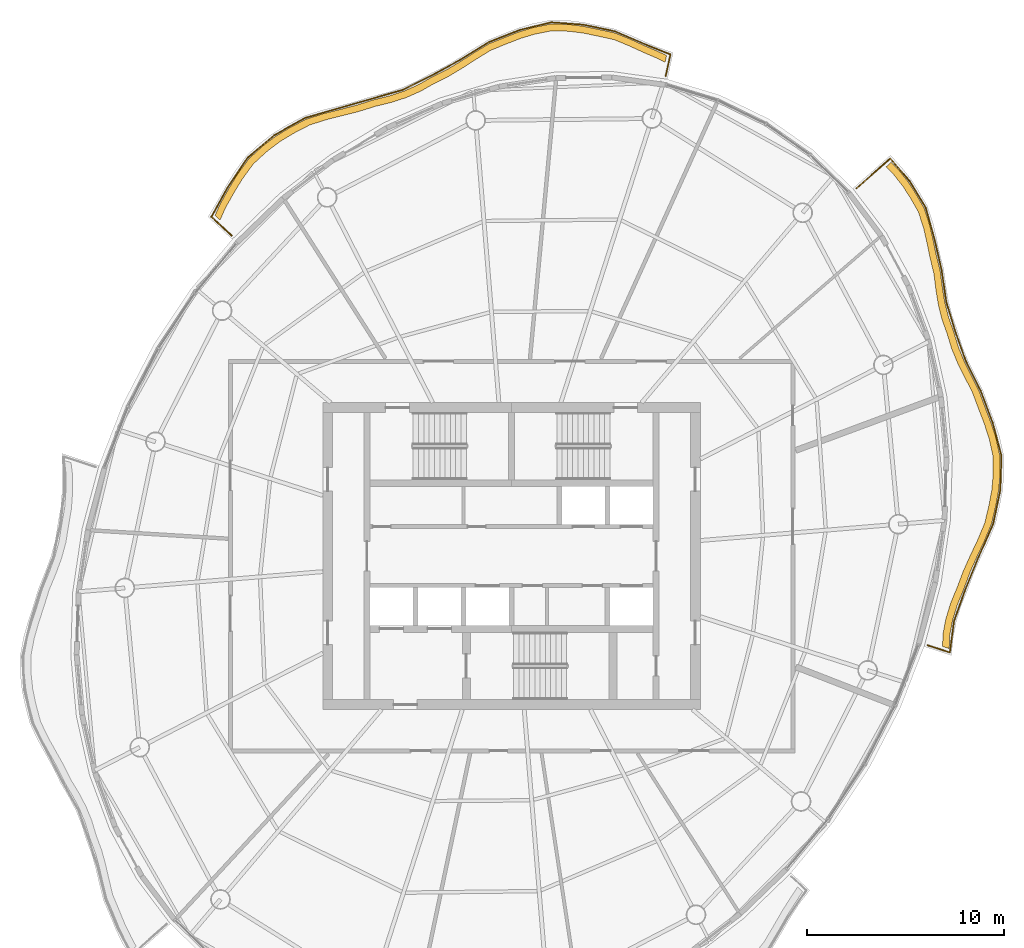
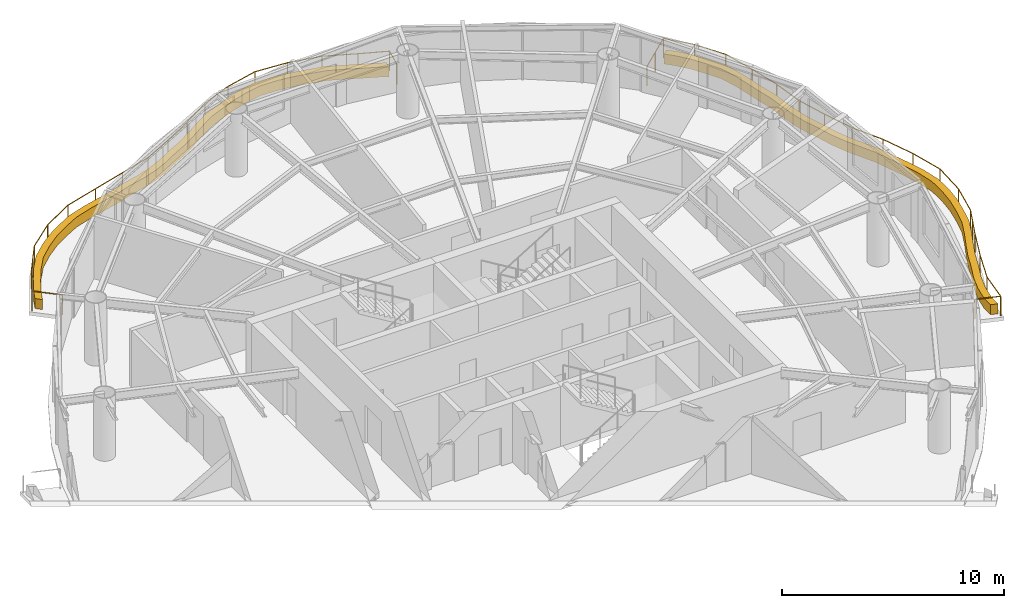
# One storey, part 13 of 13: 2 coverings, 2 railings.
"""IFC4 building model written with IfcOpenShell, lengths in metres."""

from ifc_helpers import new_model, si_unit, direction, frame, origin, origin_2d, place, context, subcontext, project, spatial, polyline, circle, outline, extrude, material, type_object, element, save


model = new_model("IFC4")

# Units and contexts
model_context = context("Model", 3, precision=1e-05, world=origin(), true_north=direction((0.0, 1.0)))
body_context = subcontext(model_context, "Body", "Model", "MODEL_VIEW")
ifc_project = project(units=[si_unit("LENGTHUNIT", "METRE"), si_unit("AREAUNIT", "SQUARE_METRE"), si_unit("VOLUMEUNIT", "CUBIC_METRE"), si_unit("PLANEANGLEUNIT", "RADIAN"), si_unit("MASSUNIT", "GRAM", prefix="KILO")], contexts=[model_context])

# Site, building, storey
site_placement = place(None, origin())
site = spatial("IfcSite", under=ifc_project, at=site_placement, CompositionType="ELEMENT")
building_placement = place(site_placement, origin())
building = spatial("IfcBuilding", under=site, at=building_placement, Name="Vermilion Reach Broadcast Tower", CompositionType="ELEMENT")
storey_placement = place(building_placement, frame((0.0, 0.0, 272.10009765625)))
storey = spatial("IfcBuildingStorey", under=building, at=storey_placement, Name="L67", CompositionType="ELEMENT", Elevation=272.10009765625)

# Coverings
ifc_material_1 = material(Name="Planting soil and greenery")
covering_type = type_object("IfcCoveringType", Name="Balcony PLANTER", PredefinedType="USERDEFINED", material=ifc_material_1)
placement = place(storey_placement, origin())
element("IfcCovering", 1, at=placement, inside=storey, type_object=covering_type, Name="PLANTER L67 group 1", ObjectType="PLANTER", PredefinedType="USERDEFINED", context=body_context, shape_type="SweptSolid", body=[
    extrude(outline(polyline([(1.8818359375, 25.451904296875), (1.407470703125, 25.673828125), (0.732666015625, 25.963134765625), (0.060791015625, 26.272216796875), (-0.75634765625, 26.602294921875), (-1.62841796875, 26.789794921875), (-2.353271484375, 26.9384765625), (-3.07763671875, 27.03125), (-3.97607421875, 27.05712890625), (-4.8759765625, 26.881591796875), (-5.5927734375, 26.6650390625), (-6.301025390625, 26.39111328125), (-7.1328125, 26.057373046875), (-7.92333984375, 25.583251953125), (-8.58935546875, 25.1513671875), (-9.263427734375, 24.7470703125), (-10.0224609375, 24.370849609375), (-10.771240234375, 23.95166015625), (-11.48486328125, 23.635009765625), (-12.230712890625, 23.39111328125), (-13.0771484375, 23.179931640625), (-13.937255859375, 22.90771484375), (-14.74560546875, 22.702392578125), (-15.555419921875, 22.499267578125), (-16.46142578125, 22.2080078125), (-17.3095703125, 21.762939453125), (-18.010986328125, 21.336669921875), (-18.65966796875, 20.842041015625), (-19.361328125, 20.19775390625), (-19.940185546875, 19.412353515625), (-20.383544921875, 18.67822265625), (-20.80712890625, 17.92333984375), (-21.07568359375, 17.322998046875), (-20.8193359375, 17.084716796875), (-20.564208984375, 17.67138671875), (-20.140625, 18.42626953125), (-19.697021484375, 19.160400390625), (-19.1328125, 19.9326171875), (-18.446533203125, 20.564208984375), (-17.7978515625, 21.05908203125), (-17.096435546875, 21.4853515625), (-16.264892578125, 21.91845703125), (-15.376220703125, 22.19873046875), (-14.56640625, 22.40185546875), (-13.7578125, 22.60693359375), (-12.91650390625, 22.869140625), (-12.08935546875, 23.07080078125), (-11.343505859375, 23.31494140625), (-10.6298828125, 23.631591796875), (-9.90185546875, 24.042236328125), (-9.164306640625, 24.411376953125), (-8.490234375, 24.815673828125), (-7.82421875, 25.247802734375), (-7.056640625, 25.7158203125), (-6.247802734375, 26.045166015625), (-5.539794921875, 26.319091796875), (-4.82275390625, 26.53564453125), (-3.94775390625, 26.70849609375), (-3.07421875, 26.681396484375), (-2.349853515625, 26.588623046875), (-1.625, 26.439697265625), (-0.779052734375, 26.253173828125), (0.01220703125, 25.92578125), (0.68408203125, 25.616455078125), (1.35888671875, 25.3271484375), (1.806640625, 25.110107421875), (1.8818359375, 25.451904296875)])), origin(), (0.0, 0.0, 1.0), 0.5498046875),
])
element("IfcCovering", 2, at=placement, inside=storey, type_object=covering_type, Name="PLANTER L67 group 4", ObjectType="PLANTER", PredefinedType="USERDEFINED", context=body_context, shape_type="SweptSolid", body=[
    extrude(outline(polyline([(16.2509765625, -4.702392578125), (16.2666015625, -4.087646484375), (16.421630859375, -3.27099609375), (16.6640625, -2.477783203125), (17.008056640625, -1.6416015625), (17.3203125, -0.794921875), (17.668701171875, -0.02197265625), (18.033935546875, 0.748291015625), (18.404052734375, 1.64208984375), (18.619873046875, 2.557861328125), (18.76806640625, 3.35302734375), (18.83740234375, 4.15087890625), (18.827392578125, 5.098388671875), (18.627197265625, 6.012451171875), (18.37841796875, 6.773681640625), (18.087890625, 7.53125), (17.771484375, 8.3935546875), (17.3662109375, 9.192138671875), (17.017822265625, 9.894287109375), (16.72265625, 10.608154296875), (16.47998046875, 11.406982421875), (16.2080078125, 12.173095703125), (16.027587890625, 12.89697265625), (15.90576171875, 13.642578125), (15.792236328125, 14.50390625), (15.58447265625, 15.3349609375), (15.432373046875, 16.0751953125), (15.265380859375, 16.807861328125), (14.9853515625, 17.673095703125), (14.54443359375, 18.441650390625), (14.157470703125, 19.037109375), (13.718017578125, 19.5927734375), (13.29833984375, 20.015869140625), (13.035888671875, 19.7841796875), (13.4384765625, 19.382080078125), (13.878173828125, 18.826416015625), (14.264892578125, 18.23095703125), (14.69091796875, 17.48388671875), (14.957763671875, 16.640869140625), (15.124755859375, 15.908447265625), (15.27685546875, 15.16796875), (15.473388671875, 14.359375), (15.57763671875, 13.52099609375), (15.69921875, 12.775390625), (15.879638671875, 12.051513671875), (16.144287109375, 11.307861328125), (16.381103515625, 10.531982421875), (16.67626953125, 9.81787109375), (17.0244140625, 9.115966796875), (17.425537109375, 8.33935546875), (17.739501953125, 7.49951171875), (18.030029296875, 6.741943359375), (18.278564453125, 5.98046875), (18.4775390625, 5.087890625), (18.487548828125, 4.16162109375), (18.418212890625, 3.364013671875), (18.27001953125, 2.568603515625), (18.055419921875, 1.67333984375), (17.687744140625, 0.800048828125), (17.322509765625, 0.029541015625), (16.97412109375, -0.743408203125), (16.665283203125, -1.570556640625), (16.325927734375, -2.3876953125), (16.08349609375, -3.180908203125), (15.928466796875, -3.997314453125), (15.91845703125, -4.59375), (16.2509765625, -4.702392578125)])), origin(), (0.0, 0.0, 1.0), 0.5498046875),
])

# Railings
ifc_material_2 = material(Name="Stainless steel 316 balustrade", Category="steel")
railing_type = type_object("IfcRailingType", Name="Balcony guard 1100", PredefinedType="BALUSTRADE", material=ifc_material_2)
railing_1_placement = place(storey_placement, frame((1.835693359375, 24.40673828125, 0.0)))
element("IfcRailing", 3, at=railing_1_placement, inside=storey, type_object=railing_type, Name="Balcony guard L67 group 1", PredefinedType="BALUSTRADE", context=body_context, shape_type="SweptSolid", body=[
    extrude(circle(Radius=0.02490234375, at=origin_2d()), frame((0.0, 0.0, 1.0751953125), z_axis=(0.214700268075, 0.976679985916, 0.0), x_axis=(-0.976679985916, 0.214700268075, 0.0)), (0.0, 0.0, 1.0), 1.12451171875),
    extrude(circle(Radius=0.02490234375, at=origin_2d()), frame((0.241455078125, 1.098388671875, 1.0751953125), z_axis=(-0.927583907179, 0.373614902196, 0.0), x_axis=(-0.373614902196, -0.927583907179, 0.0)), (0.0, 0.0, 1.0), 1.4375),
    extrude(circle(Radius=0.02490234375, at=origin_2d()), frame((-1.092041015625, 1.635498046875, 1.0751953125), z_axis=(-0.919315794126, 0.393520610224, 0.0), x_axis=(-0.393520610224, -0.919315794126, 0.0)), (0.0, 0.0, 1.0), 1.6259765625),
    extrude(circle(Radius=0.02490234375, at=origin_2d()), frame((-2.5869140625, 2.275390625, 1.0751953125), z_axis=(-0.978672981375, 0.205424427774, 0.0), x_axis=(-0.205424427774, -0.978672981375, 0.0)), (0.0, 0.0, 1.0), 1.6376953125),
    extrude(circle(Radius=0.02490234375, at=origin_2d()), frame((-4.189697265625, 2.61181640625, 1.0751953125), z_axis=(-0.997366800295, 0.072522173635, 0.0), x_axis=(-0.072522173635, -0.997366800295, 0.0)), (0.0, 0.0, 1.0), 1.6328125),
    extrude(circle(Radius=0.02490234375, at=origin_2d()), frame((-5.818115234375, 2.730224609375, 1.0751953125), z_axis=(-0.971888649427, -0.235440975862, 0.0), x_axis=(0.235440975862, -0.971888649427, 0.0)), (0.0, 0.0, 1.0), 1.66943359375),
    extrude(circle(Radius=0.02490234375, at=origin_2d()), frame((-7.440673828125, 2.337158203125, 1.0751953125), z_axis=(-0.93044028754, -0.366443544524, 0.0), x_axis=(0.366443544524, -0.93044028754, 0.0)), (0.0, 0.0, 1.0), 1.660888671875),
    extrude(circle(Radius=0.02490234375, at=origin_2d()), frame((-8.986083984375, 1.728515625, 1.0751953125), z_axis=(-0.849644551522, -0.527355796468, 0.0), x_axis=(0.527355796468, -0.849644551522, 0.0)), (0.0, 0.0, 1.0), 1.72021484375),
    extrude(circle(Radius=0.02490234375, at=origin_2d()), frame((-10.44775390625, 0.8212890625, 1.0751953125), z_axis=(-0.878504768642, -0.477733577922, 0.0), x_axis=(0.477733577922, -0.878504768642, 0.0)), (0.0, 0.0, 1.0), 1.636962890625),
    extrude(circle(Radius=0.02490234375, at=origin_2d()), frame((-11.8857421875, 0.039306640625, 1.0751953125), z_axis=(-0.893414054961, -0.449234155423, 0.0), x_axis=(0.449234155423, -0.893414054961, 0.0)), (0.0, 0.0, 1.0), 1.642333984375),
    extrude(circle(Radius=0.02490234375, at=origin_2d()), frame((-13.35302734375, -0.698486328125, 1.0751953125), z_axis=(-0.961379566688, -0.275225959449, 0.0), x_axis=(0.275225959449, -0.961379566688, 0.0)), (0.0, 0.0, 1.0), 1.66064453125),
    extrude(circle(Radius=0.02490234375, at=origin_2d()), frame((-14.949462890625, -1.155517578125, 1.0751953125), z_axis=(-0.961216313539, -0.275795573908, 0.0), x_axis=(0.275795573908, -0.961216313539, 0.0)), (0.0, 0.0, 1.0), 1.740234375),
    extrude(circle(Radius=0.02490234375, at=origin_2d()), frame((-16.622314453125, -1.635498046875, 1.0751953125), z_axis=(-0.960675384753, -0.277673918705, 0.0), x_axis=(0.277673918705, -0.960675384753, 0.0)), (0.0, 0.0, 1.0), 1.7900390625),
    extrude(circle(Radius=0.02490234375, at=origin_2d()), frame((-18.342041015625, -2.132568359375, 1.0751953125), z_axis=(-0.871495041937, -0.490404314702, 0.0), x_axis=(0.490404314702, -0.871495041937, 0.0)), (0.0, 0.0, 1.0), 1.7822265625),
    extrude(circle(Radius=0.02490234375, at=origin_2d()), frame((-19.895263671875, -3.006591796875, 1.0751953125), z_axis=(-0.764524986868, -0.644594092786, 0.0), x_axis=(0.644594092786, -0.764524986868, 0.0)), (0.0, 0.0, 1.0), 1.77099609375),
    extrude(circle(Radius=0.02490234375, at=origin_2d()), frame((-21.249267578125, -4.148193359375, 1.0751953125), z_axis=(-0.558652656238, -0.829401717914, 0.0), x_axis=(0.829401717914, -0.558652656238, 0.0)), (0.0, 0.0, 1.0), 1.8359375),
    extrude(circle(Radius=0.02490234375, at=origin_2d()), frame((-22.27490234375, -5.6708984375, 1.0751953125), z_axis=(-0.485911601606, -0.874007960733, 0.0), x_axis=(0.874007960733, -0.485911601606, 0.0)), (0.0, 0.0, 1.0), 1.697265625),
    extrude(circle(Radius=0.02490234375, at=origin_2d()), frame((-23.099609375, -7.154296875, 1.0751953125), z_axis=(0.732762663569, -0.680484297305, 0.0), x_axis=(0.680484297305, 0.732762663569, 0.0)), (0.0, 0.0, 1.0), 1.410400390625),
    extrude(circle(Radius=0.02490234375, at=origin_2d()), origin(), (0.0, 0.0, 1.0), 1.050048828125),
    extrude(circle(Radius=0.02490234375, at=origin_2d()), frame((0.241455078125, 1.098388671875, 0.0)), (0.0, 0.0, 1.0), 1.050048828125),
    extrude(circle(Radius=0.02490234375, at=origin_2d()), frame((-1.092041015625, 1.635498046875, 0.0)), (0.0, 0.0, 1.0), 1.050048828125),
    extrude(circle(Radius=0.02490234375, at=origin_2d()), frame((-2.5869140625, 2.275390625, 0.0)), (0.0, 0.0, 1.0), 1.050048828125),
    extrude(circle(Radius=0.02490234375, at=origin_2d()), frame((-4.189697265625, 2.61181640625, 0.0)), (0.0, 0.0, 1.0), 1.050048828125),
    extrude(circle(Radius=0.02490234375, at=origin_2d()), frame((-5.818115234375, 2.730224609375, 0.0)), (0.0, 0.0, 1.0), 1.050048828125),
    extrude(circle(Radius=0.02490234375, at=origin_2d()), frame((-7.440673828125, 2.337158203125, 0.0)), (0.0, 0.0, 1.0), 1.050048828125),
    extrude(circle(Radius=0.02490234375, at=origin_2d()), frame((-8.986083984375, 1.728515625, 0.0)), (0.0, 0.0, 1.0), 1.050048828125),
    extrude(circle(Radius=0.02490234375, at=origin_2d()), frame((-10.44775390625, 0.8212890625, 0.0)), (0.0, 0.0, 1.0), 1.050048828125),
    extrude(circle(Radius=0.02490234375, at=origin_2d()), frame((-11.8857421875, 0.039306640625, 0.0)), (0.0, 0.0, 1.0), 1.050048828125),
    extrude(circle(Radius=0.02490234375, at=origin_2d()), frame((-13.35302734375, -0.698486328125, 0.0)), (0.0, 0.0, 1.0), 1.050048828125),
    extrude(circle(Radius=0.02490234375, at=origin_2d()), frame((-14.949462890625, -1.155517578125, 0.0)), (0.0, 0.0, 1.0), 1.050048828125),
    extrude(circle(Radius=0.02490234375, at=origin_2d()), frame((-16.622314453125, -1.635498046875, 0.0)), (0.0, 0.0, 1.0), 1.050048828125),
    extrude(circle(Radius=0.02490234375, at=origin_2d()), frame((-18.342041015625, -2.132568359375, 0.0)), (0.0, 0.0, 1.0), 1.050048828125),
    extrude(circle(Radius=0.02490234375, at=origin_2d()), frame((-19.895263671875, -3.006591796875, 0.0)), (0.0, 0.0, 1.0), 1.050048828125),
    extrude(circle(Radius=0.02490234375, at=origin_2d()), frame((-21.249267578125, -4.148193359375, 0.0)), (0.0, 0.0, 1.0), 1.050048828125),
    extrude(circle(Radius=0.02490234375, at=origin_2d()), frame((-21.76220703125, -4.90966796875, 0.0)), (0.0, 0.0, 1.0), 1.050048828125),
    extrude(circle(Radius=0.02490234375, at=origin_2d()), frame((-22.27490234375, -5.6708984375, 0.0)), (0.0, 0.0, 1.0), 1.050048828125),
    extrude(circle(Radius=0.02490234375, at=origin_2d()), frame((-23.099609375, -7.154296875, 0.0)), (0.0, 0.0, 1.0), 1.050048828125),
    extrude(circle(Radius=0.02490234375, at=origin_2d()), frame((-22.066162109375, -8.114013671875, 0.0)), (0.0, 0.0, 1.0), 1.050048828125),
])
railing_2_placement = place(storey_placement, frame((15.152099609375, -4.53271484375, 0.0)))
element("IfcRailing", 4, at=railing_2_placement, inside=storey, type_object=railing_type, Name="Balcony guard L67 group 4", PredefinedType="BALUSTRADE", context=body_context, shape_type="SweptSolid", body=[
    extrude(circle(Radius=0.02490234375, at=origin_2d()), frame((0.0, 0.0, 1.0751953125), z_axis=(0.950638884633, -0.310299389338, 0.0), x_axis=(0.310299389338, 0.950638884633, 0.0)), (0.0, 0.0, 1.0), 1.187255859375),
    extrude(circle(Radius=0.02490234375, at=origin_2d()), frame((1.128662109375, -0.368408203125, 1.0751953125), z_axis=(0.134388691414, 0.990928695528, 0.0), x_axis=(-0.990928695528, 0.134388691414, 0.0)), (0.0, 0.0, 1.0), 1.6240234375),
    extrude(circle(Radius=0.02490234375, at=origin_2d()), frame((1.346923828125, 1.240966796875, 1.0751953125), z_axis=(0.338206510013, 0.941071918923, 0.0), x_axis=(-0.941071918923, 0.338206510013, 0.0)), (0.0, 0.0, 1.0), 1.736083984375),
    extrude(circle(Radius=0.02490234375, at=origin_2d()), frame((1.93408203125, 2.874755859375, 1.0751953125), z_axis=(0.377288042688, 0.926095963086, 0.0), x_axis=(-0.926095963086, 0.377288042688, 0.0)), (0.0, 0.0, 1.0), 1.753662109375),
    extrude(circle(Radius=0.02490234375, at=origin_2d()), frame((2.595703125, 4.498779296875, 1.0751953125), z_axis=(0.403478705434, 0.91498903505, 0.0), x_axis=(-0.91498903505, 0.403478705434, 0.0)), (0.0, 0.0, 1.0), 1.82373046875),
    extrude(circle(Radius=0.02490234375, at=origin_2d()), frame((3.33154296875, 6.16748046875, 1.0751953125), z_axis=(0.207665651613, 0.978199865641, 0.0), x_axis=(-0.978199865641, 0.207665651613, 0.0)), (0.0, 0.0, 1.0), 1.754150390625),
    extrude(circle(Radius=0.02490234375, at=origin_2d()), frame((3.69580078125, 7.88330078125, 1.0751953125), z_axis=(0.033876485506, 0.999426027142, 0.0), x_axis=(-0.999426027142, 0.033876485506, 0.0)), (0.0, 0.0, 1.0), 1.751220703125),
    extrude(circle(Radius=0.02490234375, at=origin_2d()), frame((3.755126953125, 9.633544921875, 1.0751953125), z_axis=(-0.258160648491, 0.966102002674, 0.0), x_axis=(-0.966102002674, -0.258160648491, 0.0)), (0.0, 0.0, 1.0), 1.739013671875),
    extrude(circle(Radius=0.02490234375, at=origin_2d()), frame((3.30615234375, 11.313720703125, 1.0751953125), z_axis=(-0.350259676792, 0.936652635086, 0.0), x_axis=(-0.936652635086, -0.350259676792, 0.0)), (0.0, 0.0, 1.0), 1.73486328125),
    extrude(circle(Radius=0.02490234375, at=origin_2d()), frame((2.698486328125, 12.938720703125, 1.0751953125), z_axis=(-0.448083166964, 0.893991876632, 0.0), x_axis=(-0.893991876632, -0.448083166964, 0.0)), (0.0, 0.0, 1.0), 1.68408203125),
    extrude(circle(Radius=0.02490234375, at=origin_2d()), frame((1.94384765625, 14.4443359375, 1.0751953125), z_axis=(-0.33462693952, 0.942350683847, 0.0), x_axis=(-0.942350683847, -0.33462693952, 0.0)), (0.0, 0.0, 1.0), 1.61083984375),
    extrude(circle(Radius=0.02490234375, at=origin_2d()), frame((1.40478515625, 15.96240234375, 1.0751953125), z_axis=(-0.290800952148, 0.956783573349, 0.0), x_axis=(-0.956783573349, -0.290800952148, 0.0)), (0.0, 0.0, 1.0), 1.5625),
    extrude(circle(Radius=0.02490234375, at=origin_2d()), frame((0.950439453125, 17.457275390625, 1.0751953125), z_axis=(-0.145739778796, 0.989322958834, 0.0), x_axis=(-0.989322958834, -0.145739778796, 0.0)), (0.0, 0.0, 1.0), 1.6298828125),
    extrude(circle(Radius=0.02490234375, at=origin_2d()), frame((0.712890625, 19.06982421875, 1.0751953125), z_axis=(-0.223988568821, 0.974591771481, 0.0), x_axis=(-0.974591771481, -0.223988568821, 0.0)), (0.0, 0.0, 1.0), 1.617431640625),
    extrude(circle(Radius=0.02490234375, at=origin_2d()), frame((0.3505859375, 20.646240234375, 1.0751953125), z_axis=(-0.270282624499, 0.962781025412, 0.0), x_axis=(-0.962781025412, -0.270282624499, 0.0)), (0.0, 0.0, 1.0), 1.664794921875),
    extrude(circle(Radius=0.02490234375, at=origin_2d()), frame((-0.099365234375, 22.2490234375, 1.0751953125), z_axis=(-0.519061668873, 0.85473679218, 0.0), x_axis=(-0.85473679218, -0.519061668873, 0.0)), (0.0, 0.0, 1.0), 1.6015625),
    extrude(circle(Radius=0.02490234375, at=origin_2d()), frame((-0.9306640625, 23.617919921875, 1.0751953125), z_axis=(-0.652842272388, 0.757493872836, 0.0), x_axis=(-0.757493872836, -0.652842272388, 0.0)), (0.0, 0.0, 1.0), 1.48828125),
    extrude(circle(Radius=0.02490234375, at=origin_2d()), frame((-1.90234375, 24.745361328125, 1.0751953125), z_axis=(-0.749548206368, -0.661949761183, 0.0), x_axis=(0.661949761183, -0.749548206368, 0.0)), (0.0, 0.0, 1.0), 2.2880859375),
    extrude(circle(Radius=0.02490234375, at=origin_2d()), origin(), (0.0, 0.0, 1.0), 1.050048828125),
    extrude(circle(Radius=0.02490234375, at=origin_2d()), frame((1.128662109375, -0.368408203125, 0.0)), (0.0, 0.0, 1.0), 1.050048828125),
    extrude(circle(Radius=0.02490234375, at=origin_2d()), frame((1.346923828125, 1.240966796875, 0.0)), (0.0, 0.0, 1.0), 1.050048828125),
    extrude(circle(Radius=0.02490234375, at=origin_2d()), frame((1.93408203125, 2.874755859375, 0.0)), (0.0, 0.0, 1.0), 1.050048828125),
    extrude(circle(Radius=0.02490234375, at=origin_2d()), frame((2.595703125, 4.498779296875, 0.0)), (0.0, 0.0, 1.0), 1.050048828125),
    extrude(circle(Radius=0.02490234375, at=origin_2d()), frame((2.963623046875, 5.3330078125, 0.0)), (0.0, 0.0, 1.0), 1.050048828125),
    extrude(circle(Radius=0.02490234375, at=origin_2d()), frame((3.33154296875, 6.16748046875, 0.0)), (0.0, 0.0, 1.0), 1.050048828125),
    extrude(circle(Radius=0.02490234375, at=origin_2d()), frame((3.69580078125, 7.88330078125, 0.0)), (0.0, 0.0, 1.0), 1.050048828125),
    extrude(circle(Radius=0.02490234375, at=origin_2d()), frame((3.755126953125, 9.633544921875, 0.0)), (0.0, 0.0, 1.0), 1.050048828125),
    extrude(circle(Radius=0.02490234375, at=origin_2d()), frame((3.30615234375, 11.313720703125, 0.0)), (0.0, 0.0, 1.0), 1.050048828125),
    extrude(circle(Radius=0.02490234375, at=origin_2d()), frame((2.698486328125, 12.938720703125, 0.0)), (0.0, 0.0, 1.0), 1.050048828125),
    extrude(circle(Radius=0.02490234375, at=origin_2d()), frame((1.94384765625, 14.4443359375, 0.0)), (0.0, 0.0, 1.0), 1.050048828125),
    extrude(circle(Radius=0.02490234375, at=origin_2d()), frame((1.40478515625, 15.96240234375, 0.0)), (0.0, 0.0, 1.0), 1.050048828125),
    extrude(circle(Radius=0.02490234375, at=origin_2d()), frame((0.950439453125, 17.457275390625, 0.0)), (0.0, 0.0, 1.0), 1.050048828125),
    extrude(circle(Radius=0.02490234375, at=origin_2d()), frame((0.712890625, 19.06982421875, 0.0)), (0.0, 0.0, 1.0), 1.050048828125),
    extrude(circle(Radius=0.02490234375, at=origin_2d()), frame((0.3505859375, 20.646240234375, 0.0)), (0.0, 0.0, 1.0), 1.050048828125),
    extrude(circle(Radius=0.02490234375, at=origin_2d()), frame((-0.099365234375, 22.2490234375, 0.0)), (0.0, 0.0, 1.0), 1.050048828125),
    extrude(circle(Radius=0.02490234375, at=origin_2d()), frame((-0.9306640625, 23.617919921875, 0.0)), (0.0, 0.0, 1.0), 1.050048828125),
    extrude(circle(Radius=0.02490234375, at=origin_2d()), frame((-1.90234375, 24.745361328125, 0.0)), (0.0, 0.0, 1.0), 1.050048828125),
    extrude(circle(Radius=0.02490234375, at=origin_2d()), frame((-2.759765625, 23.988037109375, 0.0)), (0.0, 0.0, 1.0), 1.050048828125),
    extrude(circle(Radius=0.02490234375, at=origin_2d()), frame((-3.617431640625, 23.230712890625, 0.0)), (0.0, 0.0, 1.0), 1.050048828125),
])

save(model, "model.ifc")
